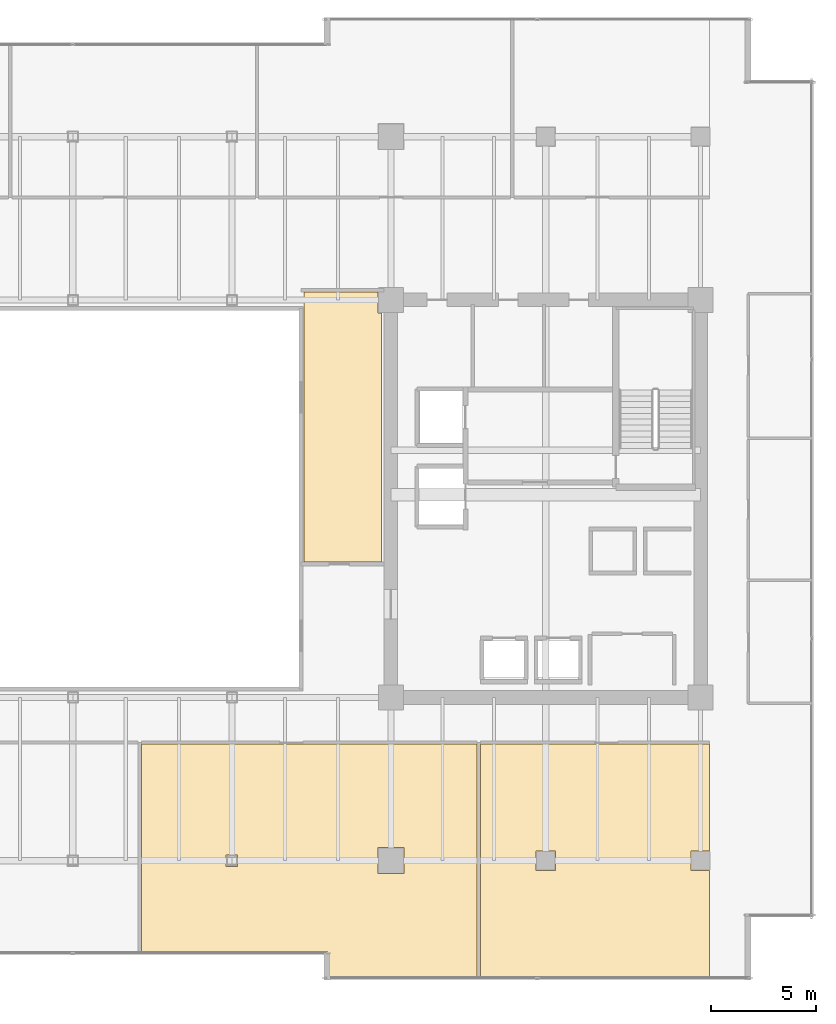
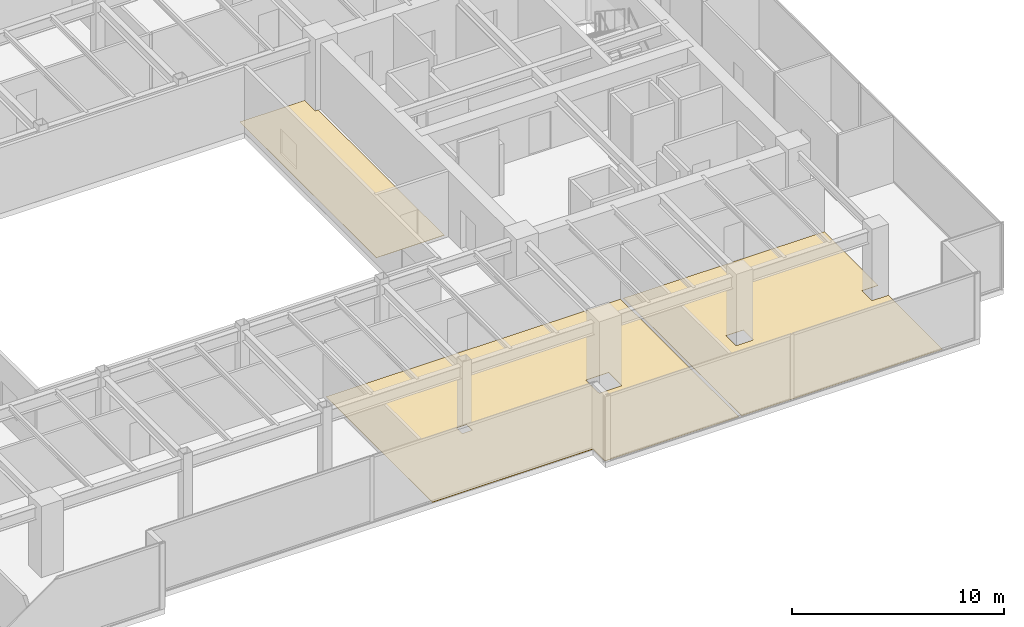
# One storey, part 31 of 33: 3 coverings.
"""IFC4 building model written with IfcOpenShell, lengths in metres."""

from ifc_helpers import new_model, si_unit, direction, frame, origin, place, context, subcontext, project, spatial, polyline, outline, extrude, material, layer, layer_set, type_object, element, save


model = new_model("IFC4")

# Units and contexts
model_context = context("Model", 3, precision=1e-05, world=origin(), true_north=direction((0.0, 1.0)))
body_context = subcontext(model_context, "Body", "Model", "MODEL_VIEW")
ifc_project = project(units=[si_unit("LENGTHUNIT", "METRE"), si_unit("AREAUNIT", "SQUARE_METRE"), si_unit("VOLUMEUNIT", "CUBIC_METRE"), si_unit("PLANEANGLEUNIT", "RADIAN"), si_unit("MASSUNIT", "GRAM", prefix="KILO")], contexts=[model_context])

# Site, building, storey
site_placement = place(None, origin())
site = spatial("IfcSite", under=ifc_project, at=site_placement, CompositionType="ELEMENT")
building_placement = place(site_placement, origin())
building = spatial("IfcBuilding", under=site, at=building_placement, Name="Haelvirn Gate Laboratories", CompositionType="ELEMENT")
storey_placement = place(building_placement, frame((0.0, 0.0, 166.60009765625)))
storey = spatial("IfcBuildingStorey", under=building, at=storey_placement, Name="L40", CompositionType="ELEMENT", Elevation=166.60009765625)

# Coverings
ifc_material = material(Name="Seamless chemical-resistant epoxy laboratory flooring")
ifc_layer = layer(ifc_material, 0.01806640625, Name="COV-FLR-RESIN")
ifc_layer_set = layer_set([ifc_layer], Name="Seamless chemical-resistant epoxy laboratory flooring")
covering_type = type_object("IfcCoveringType", Name="COV-FLR-RESIN", PredefinedType="FLOORING", material=ifc_layer_set)
covering_1_placement = place(storey_placement, origin())
element("IfcCovering", 1, at=covering_1_placement, inside=storey, type_object=covering_type, Name="L40 Seamless Laboratory Flooring FLR-SP-L40-ATRIUM-SEM", PredefinedType="FLOORING", context=body_context, shape_type="SweptSolid", body=[
    extrude(outline(polyline([(51.97998046875, 34.179931640625), (51.97998046875, 33.179931640625), (52.14990234375, 33.179931640625), (52.14990234375, 21.280029296875), (48.449951171875, 21.280029296875), (48.449951171875, 34.179931640625), (51.97998046875, 34.179931640625)])), origin(), (0.0, 0.0, 1.0), 0.017822265625),
])
covering_2_placement = place(storey_placement, origin())
element("IfcCovering", 2, at=covering_2_placement, inside=storey, type_object=covering_type, Name="L40 Seamless Laboratory Flooring FLR-SP-L40-S-03", PredefinedType="FLOORING", context=body_context, shape_type="SweptSolid", body=[
    extrude(outline(polyline([(49.43994140625, 1.409912109375), (49.43994140625, 2.5), (49.439697265625, 2.50390625), (49.439208984375, 2.5078125), (49.438232421875, 2.51171875), (49.43701171875, 2.515380859375), (49.435302734375, 2.518798828125), (49.433349609375, 2.522216796875), (49.430908203125, 2.525390625), (49.42822265625, 2.5283203125), (49.42529296875, 2.531005859375), (49.422119140625, 2.533203125), (49.4189453125, 2.535400390625), (49.415283203125, 2.537109375), (49.41162109375, 2.538330078125), (49.40771484375, 2.539306640625), (49.40380859375, 2.539794921875), (49.39990234375, 2.5400390625), (40.679931640625, 2.5400390625), (40.679931640625, 12.570068359375), (56.719970703125, 12.570068359375), (56.719970703125, 1.409912109375), (49.43994140625, 1.409912109375)]), holes=[polyline([(51.97998046875, 6.3798828125), (53.219970703125, 6.3798828125), (53.219970703125, 7.6201171875), (51.97998046875, 7.6201171875), (51.97998046875, 6.3798828125)]), polyline([(44.72998046875, 7.27001953125), (44.72998046875, 6.72998046875), (45.27001953125, 6.72998046875), (45.27001953125, 7.27001953125), (44.72998046875, 7.27001953125)])]), origin(), (0.0, 0.0, 1.0), 0.017822265625),
])
covering_3_placement = place(storey_placement, origin())
element("IfcCovering", 3, at=covering_3_placement, inside=storey, type_object=covering_type, Name="L40 Seamless Laboratory Flooring FLR-SP-L40-S-04", PredefinedType="FLOORING", context=body_context, shape_type="SweptSolid", body=[
    extrude(outline(polyline([(67.820068359375, 7.469970703125), (66.929931640625, 7.469970703125), (66.929931640625, 6.530029296875), (67.820068359375, 6.530029296875), (67.820068359375, 1.409912109375), (56.8798828125, 1.409912109375), (56.8798828125, 12.570068359375), (67.820068359375, 12.570068359375), (67.820068359375, 7.469970703125)]), holes=[polyline([(59.530029296875, 6.530029296875), (60.469970703125, 6.530029296875), (60.469970703125, 7.469970703125), (59.530029296875, 7.469970703125), (59.530029296875, 6.530029296875)])]), origin(), (0.0, 0.0, 1.0), 0.017822265625),
])

save(model, "model.ifc")
